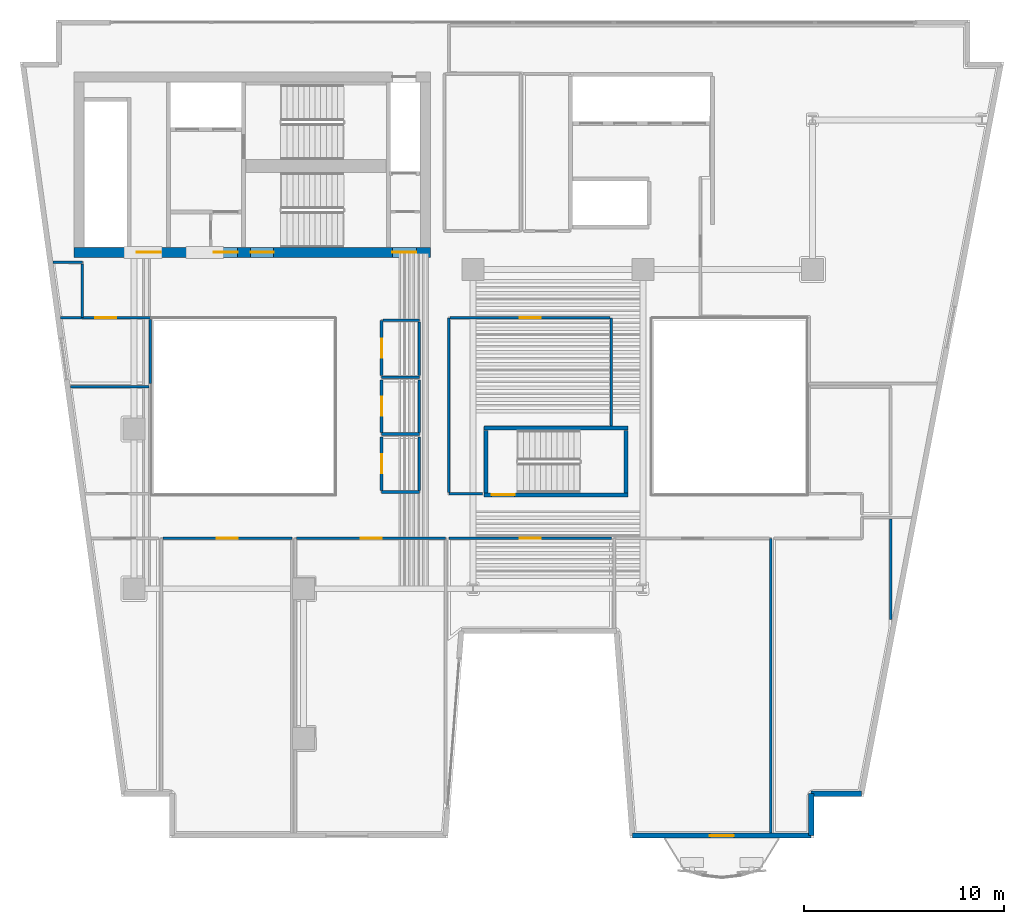
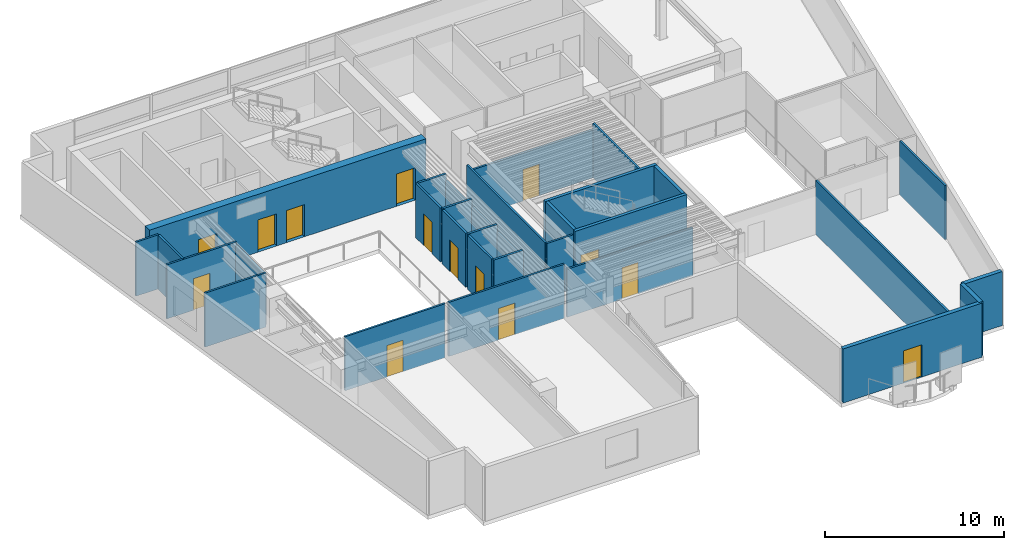
# One storey, part 6 of 13: 32 walls, 14 doors, 14 openings.
"""IFC4 building model written with IfcOpenShell, lengths in metres."""

from ifc_helpers import new_model, si_unit, direction, frame, frame_2d, origin, place, context, subcontext, project, spatial, rectangle, extrude, material, layer, layer_set, type_object, element, fill, save


model = new_model("IFC4")

# Units and contexts
model_context = context("Model", 3, precision=1e-05, world=origin(), true_north=direction((0.0, 1.0)))
body_context = subcontext(model_context, "Body", "Model", "MODEL_VIEW")
ifc_project = project(units=[si_unit("LENGTHUNIT", "METRE"), si_unit("AREAUNIT", "SQUARE_METRE"), si_unit("VOLUMEUNIT", "CUBIC_METRE"), si_unit("PLANEANGLEUNIT", "RADIAN"), si_unit("MASSUNIT", "GRAM", prefix="KILO")], contexts=[model_context])

# Site, building, storey
site_placement = place(None, origin())
site = spatial("IfcSite", under=ifc_project, at=site_placement, CompositionType="ELEMENT")
building_placement = place(site_placement, origin())
building = spatial("IfcBuilding", under=site, at=building_placement, Name="Caeloran Harvest Quay", CompositionType="ELEMENT")
storey_placement = place(building_placement, frame((0.0, 0.0, 170.64990234375)))
storey = spatial("IfcBuildingStorey", under=building, at=storey_placement, Name="L40", CompositionType="ELEMENT", Elevation=170.64990234375)

# Walls
ifc_material_1 = material(Name="Precast concrete C50/60", Category="concrete")
ifc_layer_1 = layer(ifc_material_1, 0.260009765625, Name="Precast concrete C50/60")
ifc_layer_set_1 = layer_set([ifc_layer_1], Name="Precast concrete C50/60")
wall_type_1 = type_object("IfcWallType", Name="ENV-WALL-EW-260", PredefinedType="STANDARD", material=ifc_layer_set_1)
wall_1_placement = place(storey_placement, frame((44.96337890625, 4.72998046875, 0.0), z_axis=(0.0, 0.0, 1.0), x_axis=(-1.0, 0.0, 0.0)))
element("IfcWall", 1, at=wall_1_placement, inside=storey, type_object=wall_type_1, Name="L40 Exterior Precast Concrete Facade Wall 10", PredefinedType="STANDARD", context=body_context, shape_type="SweptSolid", body=[
    extrude(rectangle(XDim=2.5234375, YDim=0.260009765625, at=frame_2d((1.26171875, 0.0))), origin(), (0.0, 0.0, 1.0), 3.690185546875),
])
wall_2_placement = place(storey_placement, frame((42.43994140625, 4.72998046875, 0.0), z_axis=(0.0, 0.0, 1.0), x_axis=(0.0, -1.0, 0.0)))
element("IfcWall", 2, at=wall_2_placement, inside=storey, type_object=wall_type_1, Name="L40 Exterior Precast Concrete Facade Wall 11", PredefinedType="STANDARD", context=body_context, shape_type="SweptSolid", body=[
    extrude(rectangle(XDim=2.10009765625, YDim=0.260009765625, at=frame_2d((1.050048828125, 0.0))), origin(), (0.0, 0.0, 1.0), 3.690185546875),
])

# Wall, opening, door
wall_3_placement = place(storey_placement, frame((42.43994140625, 2.6298828125, 0.0), z_axis=(0.0, 0.0, 1.0), x_axis=(-1.0, 0.0, 0.0)))
wall_3 = element("IfcWall", 3, at=wall_3_placement, inside=storey, type_object=wall_type_1, Name="L40 Exterior Precast Concrete Facade Wall 12", PredefinedType="STANDARD", context=body_context, shape_type="SweptSolid", body=[
    extrude(rectangle(XDim=8.96484375, YDim=0.260009765625, at=frame_2d((4.482421875, 0.0))), origin(), (0.0, 0.0, 1.0), 3.690185546875),
])
opening_1_placement = place(wall_3_placement, frame((3.882080078125, 0.0, 0.0)))
opening_1 = element("IfcOpeningElement", 4, at=opening_1_placement, cuts=wall_3, Name="Opening BD-01", PredefinedType="OPENING", context=body_context, shape_type="SweptSolid", body=[
    extrude(rectangle(XDim=1.199951171875, YDim=2.199951171875, at=frame_2d((0.60009765625, 1.10009765625))), frame((0.0, 0.14013671875, 0.0), z_axis=(0.0, -1.0, 0.0), x_axis=(1.0, 0.0, 0.0)), (0.0, 0.0, 1.0), 0.280029296875),
])
ifc_material_2 = material(Name="Thermally Broken Powder-Coated Aluminium and Safety Glass", Category="aluminium")
door_type_1 = type_object("IfcDoorType", Name="EXTDOOR-BD-01", OperationType="NOTDEFINED", PredefinedType="DOOR", material=ifc_material_2)
door_1_placement = place(opening_1_placement, origin())
door_1 = element("IfcDoor", 5, at=door_1_placement, inside=storey, type_object=door_type_1, Name="L40 Planted Balcony Glazed Access Door", OperationType="SINGLE_SWING_LEFT", OverallHeight=2.199951171875, OverallWidth=1.199951171875, PredefinedType="DOOR", context=body_context, shape_type="SweptSolid", body=[
    extrude(rectangle(XDim=1.199951171875, YDim=2.199951171875, at=frame_2d((0.60009765625, 1.10009765625))), frame((0.0, 0.02490234375, 0.0), z_axis=(0.0, -1.0, 0.0), x_axis=(1.0, 0.0, 0.0)), (0.0, 0.0, 1.0), 0.050048828125),
])
fill(opening_1, door_1)

ifc_material_3 = material(Name="Twin-Stud Mineral-Wool Acoustic Gypsum Partition", Category="gypsum")
ifc_layer_2 = layer(ifc_material_3, 0.125, Name="Twin-Stud Mineral-Wool Acoustic Gypsum Partition")
ifc_layer_set_2 = layer_set([ifc_layer_2], Name="Twin-Stud Mineral-Wool Acoustic Gypsum Partition")
wall_type_2 = type_object("IfcWallType", Name="INT-WALL-PW-125", PredefinedType="PARTITIONING", material=ifc_layer_set_2)
wall_4_placement = place(storey_placement, frame((16.6474609375, 17.52001953125, 0.0), z_axis=(0.0, 0.0, 1.0), x_axis=(1.0, 0.0, 0.0)))
wall_4 = element("IfcWall", 6, at=wall_4_placement, inside=storey, type_object=wall_type_2, Name="Agri-Design Innovation Studio Partition Wall", PredefinedType="PARTITIONING", context=body_context, shape_type="SweptSolid", body=[
    extrude(rectangle(XDim=7.47265625, YDim=0.125, at=frame_2d((3.736328125, 0.0))), origin(), (0.0, 0.0, 1.0), 3.690185546875),
])
opening_2_placement = place(wall_4_placement, frame((3.211181640625, 0.0, 0.0)))
opening_2 = element("IfcOpeningElement", 7, at=opening_2_placement, cuts=wall_4, Name="Opening ID-03", PredefinedType="OPENING", context=body_context, shape_type="SweptSolid", body=[
    extrude(rectangle(XDim=1.050048828125, YDim=2.14990234375, at=frame_2d((0.52490234375, 1.074951171875))), frame((0.0, 0.072509765625, 0.0), z_axis=(0.0, -1.0, 0.0), x_axis=(1.0, 0.0, 0.0)), (0.0, 0.0, 1.0), 0.14501953125),
])
ifc_material_4 = material(Name="FSC Solid-Core Oak Timber Leaf", Category="wood")
door_type_2 = type_object("IfcDoorType", Name="INTDOOR-ID-03", OperationType="NOTDEFINED", PredefinedType="DOOR", material=ifc_material_4)
door_2_placement = place(opening_2_placement, origin())
door_2 = element("IfcDoor", 8, at=door_2_placement, inside=storey, type_object=door_type_2, Name="Agri-Design Innovation Studio Access Door", OperationType="SINGLE_SWING_LEFT", OverallHeight=2.14990234375, OverallWidth=1.050048828125, PredefinedType="DOOR", context=body_context, shape_type="SweptSolid", body=[
    extrude(rectangle(XDim=1.050048828125, YDim=2.14990234375, at=frame_2d((0.52490234375, 1.074951171875))), frame((0.0, 0.02490234375, 0.0), z_axis=(0.0, -1.0, 0.0), x_axis=(1.0, 0.0, 0.0)), (0.0, 0.0, 1.0), 0.050048828125),
])
fill(opening_2, door_2)

wall_5_placement = place(storey_placement, frame((9.947509765625, 17.52001953125, 0.0), z_axis=(0.0, 0.0, 1.0), x_axis=(1.0, 0.0, 0.0)))
wall_5 = element("IfcWall", 9, at=wall_5_placement, inside=storey, type_object=wall_type_2, Name="Hospitality Tasting Dining Kitchen Partition Wall", PredefinedType="PARTITIONING", context=body_context, shape_type="SweptSolid", body=[
    extrude(rectangle(XDim=6.472412109375, YDim=0.125, at=frame_2d((3.236328125, 0.0))), origin(), (0.0, 0.0, 1.0), 3.690185546875),
])
opening_3_placement = place(wall_5_placement, frame((2.711181640625, 0.0, 0.0)))
opening_3 = element("IfcOpeningElement", 10, at=opening_3_placement, cuts=wall_5, Name="Opening ID-03", PredefinedType="OPENING", context=body_context, shape_type="SweptSolid", body=[
    extrude(rectangle(XDim=1.050048828125, YDim=2.14990234375, at=frame_2d((0.52490234375, 1.074951171875))), frame((0.0, 0.072509765625, 0.0), z_axis=(0.0, -1.0, 0.0), x_axis=(1.0, 0.0, 0.0)), (0.0, 0.0, 1.0), 0.14501953125),
])
door_3_placement = place(opening_3_placement, origin())
door_3 = element("IfcDoor", 11, at=door_3_placement, inside=storey, type_object=door_type_2, Name="Hospitality Tasting Dining Kitchen Access Door", OperationType="SINGLE_SWING_RIGHT", OverallHeight=2.14990234375, OverallWidth=1.050048828125, PredefinedType="DOOR", context=body_context, shape_type="SweptSolid", body=[
    extrude(rectangle(XDim=1.050048828125, YDim=2.14990234375, at=frame_2d((0.52490234375, 1.074951171875))), frame((0.0, 0.02490234375, 0.0), z_axis=(0.0, -1.0, 0.0), x_axis=(1.0, 0.0, 0.0)), (0.0, 0.0, 1.0), 0.050048828125),
])
fill(opening_3, door_3)

# Walls
wall_6_placement = place(storey_placement, frame((40.419921875, 17.52001953125, 0.0), z_axis=(0.0, 0.0, 1.0), x_axis=(0.0, -1.0, 0.0)))
element("IfcWall", 12, at=wall_6_placement, inside=storey, type_object=wall_type_2, Name="Culinary Product Studio Partition Wall", PredefinedType="PARTITIONING", context=body_context, shape_type="SweptSolid", body=[
    extrude(rectangle(XDim=14.755126953125, YDim=0.125, at=frame_2d((7.37744140625, 0.0))), origin(), (0.0, 0.0, 1.0), 3.690185546875),
])
wall_7_placement = place(storey_placement, frame((46.419921875, 18.50244140625, 0.0), z_axis=(0.0, 0.0, 1.0), x_axis=(0.0, -1.0, 0.0)))
element("IfcWall", 13, at=wall_7_placement, inside=storey, type_object=wall_type_2, Name="Investor Dining Salon Lounge Partition Wall", PredefinedType="PARTITIONING", context=body_context, shape_type="SweptSolid", body=[
    extrude(rectangle(XDim=5.0556640625, YDim=0.125, at=frame_2d((2.52783203125, 0.0))), origin(), (0.0, 0.0, 1.0), 3.690185546875),
])

# Wall, opening, door
wall_8_placement = place(storey_placement, frame((24.280029296875, 17.52001953125, 0.0), z_axis=(0.0, 0.0, 1.0), x_axis=(1.0, 0.0, 0.0)))
wall_8 = element("IfcWall", 14, at=wall_8_placement, inside=storey, type_object=wall_type_2, Name="Media Broadcast Studio Partition Wall", PredefinedType="PARTITIONING", context=body_context, shape_type="SweptSolid", body=[
    extrude(rectangle(XDim=8.139892578125, YDim=0.125, at=frame_2d((4.06982421875, 0.0))), origin(), (0.0, 0.0, 1.0), 3.275146484375),
])
opening_4_placement = place(wall_8_placement, frame((3.544921875, 0.0, 0.0)))
opening_4 = element("IfcOpeningElement", 15, at=opening_4_placement, cuts=wall_8, Name="Opening ID-03", PredefinedType="OPENING", context=body_context, shape_type="SweptSolid", body=[
    extrude(rectangle(XDim=1.050048828125, YDim=2.14990234375, at=frame_2d((0.52490234375, 1.074951171875))), frame((0.0, 0.072509765625, 0.0), z_axis=(0.0, -1.0, 0.0), x_axis=(1.0, 0.0, 0.0)), (0.0, 0.0, 1.0), 0.14501953125),
])
door_4_placement = place(opening_4_placement, origin())
door_4 = element("IfcDoor", 16, at=door_4_placement, inside=storey, type_object=door_type_2, Name="Media Broadcast Studio Access Door", OperationType="SINGLE_SWING_RIGHT", OverallHeight=2.14990234375, OverallWidth=1.050048828125, PredefinedType="DOOR", context=body_context, shape_type="SweptSolid", body=[
    extrude(rectangle(XDim=1.050048828125, YDim=2.14990234375, at=frame_2d((0.52490234375, 1.074951171875))), frame((0.0, 0.02490234375, 0.0), z_axis=(0.0, -1.0, 0.0), x_axis=(1.0, 0.0, 0.0)), (0.0, 0.0, 1.0), 0.050048828125),
])
fill(opening_4, door_4)

# Walls
wall_9_placement = place(storey_placement, frame((5.309326171875, 25.1201171875, 0.0), z_axis=(0.0, 0.0, 1.0), x_axis=(1.0, 0.0, 0.0)))
element("IfcWall", 17, at=wall_9_placement, inside=storey, type_object=wall_type_2, Name="Agri-Design Innovation Studio 8 Partition Wall", PredefinedType="PARTITIONING", context=body_context, shape_type="SweptSolid", body=[
    extrude(rectangle(XDim=3.943115234375, YDim=0.125, at=frame_2d((1.9716796875, 0.0))), origin(), (0.0, 0.0, 1.0), 3.690185546875),
])
wall_10_placement = place(storey_placement, frame((32.419921875, 28.570068359375, 0.0), z_axis=(0.0, 0.0, 1.0), x_axis=(0.0, -1.0, 0.0)))
element("IfcWall", 18, at=wall_10_placement, inside=storey, type_object=wall_type_2, Name="Hospitality Tasting Dining Kitchen 9 Partition Wall", PredefinedType="PARTITIONING", context=body_context, shape_type="SweptSolid", body=[
    extrude(rectangle(XDim=5.4150390625, YDim=0.125, at=frame_2d((2.70751953125, 0.0))), origin(), (0.0, 0.0, 1.0), 3.690185546875),
])
wall_11_placement = place(storey_placement, frame((25.9755859375, 19.75, 0.0), z_axis=(0.0, 0.0, 1.0), x_axis=(-1.0, 0.0, 0.0)))
element("IfcWall", 19, at=wall_11_placement, inside=storey, type_object=wall_type_2, Name="Hospitality Tasting Dining Kitchen 9 Partition Wall", PredefinedType="PARTITIONING", context=body_context, shape_type="SweptSolid", body=[
    extrude(rectangle(XDim=1.695556640625, YDim=0.125, at=frame_2d((0.84765625, 0.0))), origin(), (0.0, 0.0, 1.0), 3.690185546875),
])
wall_12_placement = place(storey_placement, frame((24.280029296875, 19.8173828125, 0.0), z_axis=(0.0, 0.0, 1.0), x_axis=(0.0, 1.0, 0.0)))
element("IfcWall", 20, at=wall_12_placement, inside=storey, type_object=wall_type_2, Name="Hospitality Tasting Dining Kitchen 9 Partition Wall", PredefinedType="PARTITIONING", context=body_context, shape_type="SweptSolid", body=[
    extrude(rectangle(XDim=8.752685546875, YDim=0.125, at=frame_2d((4.37646484375, 0.0))), origin(), (0.0, 0.0, 1.0), 3.690185546875),
])

# Wall, opening, door
wall_13_placement = place(storey_placement, frame((24.347412109375, 28.570068359375, 0.0), z_axis=(0.0, 0.0, 1.0), x_axis=(1.0, 0.0, 0.0)))
wall_13 = element("IfcWall", 21, at=wall_13_placement, inside=storey, type_object=wall_type_2, Name="Hospitality Tasting Dining Kitchen 9 Partition Wall", PredefinedType="PARTITIONING", context=body_context, shape_type="SweptSolid", body=[
    extrude(rectangle(XDim=8.005126953125, YDim=0.125, at=frame_2d((4.00244140625, 0.0))), origin(), (0.0, 0.0, 1.0), 3.275146484375),
])
opening_5_placement = place(wall_13_placement, frame((3.4775390625, 0.0, 0.0)))
opening_5 = element("IfcOpeningElement", 22, at=opening_5_placement, cuts=wall_13, Name="Opening ID-03", PredefinedType="OPENING", context=body_context, shape_type="SweptSolid", body=[
    extrude(rectangle(XDim=1.050048828125, YDim=2.14990234375, at=frame_2d((0.52490234375, 1.074951171875))), frame((0.0, 0.072509765625, 0.0), z_axis=(0.0, -1.0, 0.0), x_axis=(1.0, 0.0, 0.0)), (0.0, 0.0, 1.0), 0.14501953125),
])
door_5_placement = place(opening_5_placement, origin())
door_5 = element("IfcDoor", 23, at=door_5_placement, inside=storey, type_object=door_type_2, Name="Hospitality Tasting Dining Kitchen 9 Access Door", OperationType="SINGLE_SWING_LEFT", OverallHeight=2.14990234375, OverallWidth=1.050048828125, PredefinedType="DOOR", context=body_context, shape_type="SweptSolid", body=[
    extrude(rectangle(XDim=1.050048828125, YDim=2.14990234375, at=frame_2d((0.52490234375, 1.074951171875))), frame((0.0, 0.02490234375, 0.0), z_axis=(0.0, -1.0, 0.0), x_axis=(1.0, 0.0, 0.0)), (0.0, 0.0, 1.0), 0.050048828125),
])
fill(opening_5, door_5)

# Walls
wall_14_placement = place(storey_placement, frame((4.44775390625, 31.35009765625, 0.0), z_axis=(0.0, 0.0, 1.0), x_axis=(1.0, 0.0, 0.0)))
element("IfcWall", 24, at=wall_14_placement, inside=storey, type_object=wall_type_2, Name="Culinary Product Studio 10 Partition Wall", PredefinedType="PARTITIONING", context=body_context, shape_type="SweptSolid", body=[
    extrude(rectangle(XDim=1.47216796875, YDim=0.125, at=frame_2d((0.736083984375, 0.0))), origin(), (0.0, 0.0, 1.0), 3.690185546875),
])
wall_15_placement = place(storey_placement, frame((5.919921875, 31.282470703125, 0.0), z_axis=(0.0, 0.0, 1.0), x_axis=(0.0, -1.0, 0.0)))
element("IfcWall", 25, at=wall_15_placement, inside=storey, type_object=wall_type_2, Name="Culinary Product Studio 10 Partition Wall", PredefinedType="PARTITIONING", context=body_context, shape_type="SweptSolid", body=[
    extrude(rectangle(XDim=2.682373046875, YDim=0.125, at=frame_2d((1.34130859375, 0.0))), origin(), (0.0, 0.0, 1.0), 3.690185546875),
])

# Wall, opening, door
wall_16_placement = place(storey_placement, frame((4.832275390625, 28.570068359375, 0.0), z_axis=(0.0, 0.0, 1.0), x_axis=(1.0, 0.0, 0.0)))
wall_16 = element("IfcWall", 26, at=wall_16_placement, inside=storey, type_object=wall_type_2, Name="Culinary Product Studio 10 Partition Wall", PredefinedType="PARTITIONING", context=body_context, shape_type="SweptSolid", body=[
    extrude(rectangle(XDim=4.48779296875, YDim=0.125, at=frame_2d((2.243896484375, 0.0))), origin(), (0.0, 0.0, 1.0), 3.690185546875),
])
opening_6_placement = place(wall_16_placement, frame((1.718994140625, 0.0, 0.0)))
opening_6 = element("IfcOpeningElement", 27, at=opening_6_placement, cuts=wall_16, Name="Opening ID-03", PredefinedType="OPENING", context=body_context, shape_type="SweptSolid", body=[
    extrude(rectangle(XDim=1.050048828125, YDim=2.14990234375, at=frame_2d((0.52490234375, 1.074951171875))), frame((0.0, 0.072509765625, 0.0), z_axis=(0.0, -1.0, 0.0), x_axis=(1.0, 0.0, 0.0)), (0.0, 0.0, 1.0), 0.14501953125),
])
door_6_placement = place(opening_6_placement, origin())
door_6 = element("IfcDoor", 28, at=door_6_placement, inside=storey, type_object=door_type_2, Name="Culinary Product Studio 10 Access Door", OperationType="SINGLE_SWING_RIGHT", OverallHeight=2.14990234375, OverallWidth=1.050048828125, PredefinedType="DOOR", context=body_context, shape_type="SweptSolid", body=[
    extrude(rectangle(XDim=1.050048828125, YDim=2.14990234375, at=frame_2d((0.52490234375, 1.074951171875))), frame((0.0, 0.02490234375, 0.0), z_axis=(0.0, -1.0, 0.0), x_axis=(1.0, 0.0, 0.0)), (0.0, 0.0, 1.0), 0.050048828125),
])
fill(opening_6, door_6)

# Walls
wall_17_placement = place(storey_placement, frame((9.320068359375, 28.50244140625, 0.0), z_axis=(0.0, 0.0, 1.0), x_axis=(0.0, -1.0, 0.0)))
element("IfcWall", 29, at=wall_17_placement, inside=storey, type_object=wall_type_2, Name="Culinary Product Studio 10 Partition Wall", PredefinedType="PARTITIONING", context=body_context, shape_type="SweptSolid", body=[
    extrude(rectangle(XDim=3.222412109375, YDim=0.125, at=frame_2d((1.611328125, 0.0))), origin(), (0.0, 0.0, 1.0), 3.47509765625),
])
ifc_material_5 = material(Name="Moisture-Resistant Cement-Board Sanitary Partition", Category="gypsum")
ifc_layer_3 = layer(ifc_material_5, 0.139892578125, Name="Moisture-Resistant Cement-Board Sanitary Partition")
ifc_layer_set_3 = layer_set([ifc_layer_3], Name="Moisture-Resistant Cement-Board Sanitary Partition")
wall_type_3 = type_object("IfcWallType", Name="INT-WALL-PW-140", PredefinedType="PARTITIONING", material=ifc_layer_set_3)
wall_18_placement = place(storey_placement, frame((22.800048828125, 25.60009765625, 0.0), z_axis=(0.0, 0.0, 1.0), x_axis=(-1.0, 0.0, 0.0)))
element("IfcWall", 30, at=wall_18_placement, inside=storey, type_object=wall_type_3, Name="L40 Male Washroom WC Partition Wall", PredefinedType="PARTITIONING", context=body_context, shape_type="SweptSolid", body=[
    extrude(rectangle(XDim=1.89013671875, YDim=0.139892578125, at=frame_2d((0.945068359375, 0.0))), origin(), (0.0, 0.0, 1.0), 3.690185546875),
])

# Wall, opening, door
wall_19_placement = place(storey_placement, frame((20.909912109375, 25.675048828125, 0.0), z_axis=(0.0, 0.0, 1.0), x_axis=(0.0, 1.0, 0.0)))
wall_19 = element("IfcWall", 31, at=wall_19_placement, inside=storey, type_object=wall_type_3, Name="L40 Male Washroom WC Partition Wall", PredefinedType="PARTITIONING", context=body_context, shape_type="SweptSolid", body=[
    extrude(rectangle(XDim=2.77490234375, YDim=0.139892578125, at=frame_2d((1.387451171875, 0.0))), origin(), (0.0, 0.0, 1.0), 3.690185546875),
])
opening_7_placement = place(wall_19_placement, frame((0.91259765625, 0.0, 0.0)))
opening_7 = element("IfcOpeningElement", 32, at=opening_7_placement, cuts=wall_19, Name="Opening WC-01", PredefinedType="OPENING", context=body_context, shape_type="SweptSolid", body=[
    extrude(rectangle(XDim=0.949951171875, YDim=2.14990234375, at=frame_2d((0.47509765625, 1.074951171875))), frame((0.0, 0.080078125, 0.0), z_axis=(0.0, -1.0, 0.0), x_axis=(1.0, 0.0, 0.0)), (0.0, 0.0, 1.0), 0.159912109375),
])
ifc_material_6 = material(Name="High-Pressure Laminate Moisture-Resistant Timber", Category="wood")
door_type_3 = type_object("IfcDoorType", Name="INTDOOR-WC-01", OperationType="NOTDEFINED", PredefinedType="DOOR", material=ifc_material_6)
door_7_placement = place(opening_7_placement, origin())
door_7 = element("IfcDoor", 33, at=door_7_placement, inside=storey, type_object=door_type_3, Name="L40 Male Washroom WC Access Door", OperationType="SINGLE_SWING_RIGHT", OverallHeight=2.14990234375, OverallWidth=0.949951171875, PredefinedType="DOOR", context=body_context, shape_type="SweptSolid", body=[
    extrude(rectangle(XDim=0.949951171875, YDim=2.14990234375, at=frame_2d((0.47509765625, 1.074951171875))), frame((0.0, 0.02490234375, 0.0), z_axis=(0.0, -1.0, 0.0), x_axis=(1.0, 0.0, 0.0)), (0.0, 0.0, 1.0), 0.050048828125),
])
fill(opening_7, door_7)

# Walls
wall_20_placement = place(storey_placement, frame((20.985107421875, 28.449951171875, 0.0), z_axis=(0.0, 0.0, 1.0), x_axis=(1.0, 0.0, 0.0)))
element("IfcWall", 34, at=wall_20_placement, inside=storey, type_object=wall_type_3, Name="L40 Male Washroom WC Partition Wall", PredefinedType="PARTITIONING", context=body_context, shape_type="SweptSolid", body=[
    extrude(rectangle(XDim=1.81494140625, YDim=0.139892578125, at=frame_2d((0.907470703125, 0.0))), origin(), (0.0, 0.0, 1.0), 3.690185546875),
])
wall_21_placement = place(storey_placement, frame((22.800048828125, 28.375, 0.0), z_axis=(0.0, 0.0, 1.0), x_axis=(0.0, -1.0, 0.0)))
element("IfcWall", 35, at=wall_21_placement, inside=storey, type_object=wall_type_3, Name="L40 Male Washroom WC Partition Wall", PredefinedType="PARTITIONING", context=body_context, shape_type="SweptSolid", body=[
    extrude(rectangle(XDim=2.699951171875, YDim=0.139892578125, at=frame_2d((1.35009765625, 0.0))), origin(), (0.0, 0.0, 1.0), 3.275146484375),
])
wall_22_placement = place(storey_placement, frame((22.800048828125, 22.75, 0.0), z_axis=(0.0, 0.0, 1.0), x_axis=(-1.0, 0.0, 0.0)))
element("IfcWall", 36, at=wall_22_placement, inside=storey, type_object=wall_type_3, Name="L40 Female Washroom WC Partition Wall", PredefinedType="PARTITIONING", context=body_context, shape_type="SweptSolid", body=[
    extrude(rectangle(XDim=1.89013671875, YDim=0.139892578125, at=frame_2d((0.945068359375, 0.0))), origin(), (0.0, 0.0, 1.0), 3.690185546875),
])

# Wall, opening, door
wall_23_placement = place(storey_placement, frame((20.909912109375, 22.824951171875, 0.0), z_axis=(0.0, 0.0, 1.0), x_axis=(0.0, 1.0, 0.0)))
wall_23 = element("IfcWall", 37, at=wall_23_placement, inside=storey, type_object=wall_type_3, Name="L40 Female Washroom WC Partition Wall", PredefinedType="PARTITIONING", context=body_context, shape_type="SweptSolid", body=[
    extrude(rectangle(XDim=2.625, YDim=0.139892578125, at=frame_2d((1.3125, 0.0))), origin(), (0.0, 0.0, 1.0), 3.690185546875),
])
opening_8_placement = place(wall_23_placement, frame((0.83740234375, 0.0, 0.0)))
opening_8 = element("IfcOpeningElement", 38, at=opening_8_placement, cuts=wall_23, Name="Opening WC-01", PredefinedType="OPENING", context=body_context, shape_type="SweptSolid", body=[
    extrude(rectangle(XDim=0.949951171875, YDim=2.14990234375, at=frame_2d((0.47509765625, 1.074951171875))), frame((0.0, 0.080078125, 0.0), z_axis=(0.0, -1.0, 0.0), x_axis=(1.0, 0.0, 0.0)), (0.0, 0.0, 1.0), 0.159912109375),
])
door_8_placement = place(opening_8_placement, origin())
door_8 = element("IfcDoor", 39, at=door_8_placement, inside=storey, type_object=door_type_3, Name="L40 Female Washroom WC Access Door", OperationType="SINGLE_SWING_LEFT", OverallHeight=2.14990234375, OverallWidth=0.949951171875, PredefinedType="DOOR", context=body_context, shape_type="SweptSolid", body=[
    extrude(rectangle(XDim=0.949951171875, YDim=2.14990234375, at=frame_2d((0.47509765625, 1.074951171875))), frame((0.0, 0.02490234375, 0.0), z_axis=(0.0, -1.0, 0.0), x_axis=(1.0, 0.0, 0.0)), (0.0, 0.0, 1.0), 0.050048828125),
])
fill(opening_8, door_8)

# Walls
wall_24_placement = place(storey_placement, frame((22.800048828125, 25.449951171875, 0.0), z_axis=(0.0, 0.0, 1.0), x_axis=(0.0, -1.0, 0.0)))
element("IfcWall", 40, at=wall_24_placement, inside=storey, type_object=wall_type_3, Name="L40 Female Washroom WC Partition Wall", PredefinedType="PARTITIONING", context=body_context, shape_type="SweptSolid", body=[
    extrude(rectangle(XDim=2.625, YDim=0.139892578125, at=frame_2d((1.3125, 0.0))), origin(), (0.0, 0.0, 1.0), 3.275146484375),
])
wall_25_placement = place(storey_placement, frame((22.800048828125, 19.85009765625, 0.0), z_axis=(0.0, 0.0, 1.0), x_axis=(-1.0, 0.0, 0.0)))
element("IfcWall", 41, at=wall_25_placement, inside=storey, type_object=wall_type_3, Name="L40 Accessible Unisex Washroom WC Partition Wall", PredefinedType="PARTITIONING", context=body_context, shape_type="SweptSolid", body=[
    extrude(rectangle(XDim=1.89013671875, YDim=0.139892578125, at=frame_2d((0.945068359375, 0.0))), origin(), (0.0, 0.0, 1.0), 3.690185546875),
])

# Wall, opening, door
wall_26_placement = place(storey_placement, frame((20.909912109375, 19.925048828125, 0.0), z_axis=(0.0, 0.0, 1.0), x_axis=(0.0, 1.0, 0.0)))
wall_26 = element("IfcWall", 42, at=wall_26_placement, inside=storey, type_object=wall_type_3, Name="L40 Accessible Unisex Washroom WC Partition Wall", PredefinedType="PARTITIONING", context=body_context, shape_type="SweptSolid", body=[
    extrude(rectangle(XDim=2.675048828125, YDim=0.139892578125, at=frame_2d((1.33740234375, 0.0))), origin(), (0.0, 0.0, 1.0), 3.690185546875),
])
opening_9_placement = place(wall_26_placement, frame((0.862548828125, 0.0, 0.0)))
opening_9 = element("IfcOpeningElement", 43, at=opening_9_placement, cuts=wall_26, Name="Opening WC-01", PredefinedType="OPENING", context=body_context, shape_type="SweptSolid", body=[
    extrude(rectangle(XDim=0.949951171875, YDim=2.14990234375, at=frame_2d((0.47509765625, 1.074951171875))), frame((0.0, 0.080078125, 0.0), z_axis=(0.0, -1.0, 0.0), x_axis=(1.0, 0.0, 0.0)), (0.0, 0.0, 1.0), 0.159912109375),
])
door_9_placement = place(opening_9_placement, origin())
door_9 = element("IfcDoor", 44, at=door_9_placement, inside=storey, type_object=door_type_3, Name="L40 Accessible Unisex Washroom WC Access Door", OperationType="SINGLE_SWING_RIGHT", OverallHeight=2.14990234375, OverallWidth=0.949951171875, PredefinedType="DOOR", context=body_context, shape_type="SweptSolid", body=[
    extrude(rectangle(XDim=0.949951171875, YDim=2.14990234375, at=frame_2d((0.47509765625, 1.074951171875))), frame((0.0, 0.02490234375, 0.0), z_axis=(0.0, -1.0, 0.0), x_axis=(1.0, 0.0, 0.0)), (0.0, 0.0, 1.0), 0.050048828125),
])
fill(opening_9, door_9)

# Wall
wall_27_placement = place(storey_placement, frame((22.800048828125, 22.60009765625, 0.0), z_axis=(0.0, 0.0, 1.0), x_axis=(0.0, -1.0, 0.0)))
element("IfcWall", 45, at=wall_27_placement, inside=storey, type_object=wall_type_3, Name="L40 Accessible Unisex Washroom WC Partition Wall", PredefinedType="PARTITIONING", context=body_context, shape_type="SweptSolid", body=[
    extrude(rectangle(XDim=2.675048828125, YDim=0.139892578125, at=frame_2d((1.33740234375, 0.0))), origin(), (0.0, 0.0, 1.0), 3.275146484375),
])

# Wall, openings, doors
ifc_material_7 = material(Name="Concrete C70/85", Category="concrete")
ifc_layer_4 = layer(ifc_material_7, 0.5, Name="Concrete C70/85")
ifc_layer_set_4 = layer_set([ifc_layer_4], Name="Concrete C70/85")
wall_type_4 = type_object("IfcWallType", Name="STR-WALL-CW-500", PredefinedType="SHEAR", material=ifc_layer_set_4)
wall_28_placement = place(storey_placement, frame((5.5, 31.85009765625, 0.0), z_axis=(0.0, 0.0, 1.0), x_axis=(1.0, 0.0, 0.0)))
wall_28 = element("IfcWall", 46, at=wall_28_placement, inside=storey, type_object=wall_type_4, Name="L40 Rear Core Shear Wall S", PredefinedType="SHEAR", context=body_context, shape_type="SweptSolid", body=[
    extrude(rectangle(XDim=17.85009765625, YDim=0.5, at=frame_2d((8.925048828125, 0.0))), origin(), (0.0, 0.0, 1.0), 3.9501953125),
])
opening_10_placement = place(wall_28_placement, frame((3.14990234375, 0.0, 0.0)))
opening_10 = element("IfcOpeningElement", 47, at=opening_10_placement, cuts=wall_28, Name="Opening FD-01", PredefinedType="OPENING", context=body_context, shape_type="SweptSolid", body=[
    extrude(rectangle(XDim=1.199951171875, YDim=2.199951171875, at=frame_2d((0.60009765625, 1.10009765625))), frame((0.0, 0.260009765625, 0.0), z_axis=(0.0, -1.0, 0.0), x_axis=(1.0, 0.0, 0.0)), (0.0, 0.0, 1.0), 0.52001953125),
])
opening_11_placement = place(wall_28_placement, frame((7.0, 0.0, 0.0)))
opening_11 = element("IfcOpeningElement", 48, at=opening_11_placement, cuts=wall_28, Name="Opening FD-01", PredefinedType="OPENING", context=body_context, shape_type="SweptSolid", body=[
    extrude(rectangle(XDim=1.199951171875, YDim=2.199951171875, at=frame_2d((0.60009765625, 1.10009765625))), frame((0.0, 0.260009765625, 0.0), z_axis=(0.0, -1.0, 0.0), x_axis=(1.0, 0.0, 0.0)), (0.0, 0.0, 1.0), 0.52001953125),
])
opening_12_placement = place(wall_28_placement, frame((8.85009765625, 0.0, 0.0)))
opening_12 = element("IfcOpeningElement", 49, at=opening_12_placement, cuts=wall_28, Name="Opening SD-01", PredefinedType="OPENING", context=body_context, shape_type="SweptSolid", body=[
    extrude(rectangle(XDim=1.14990234375, YDim=2.199951171875, at=frame_2d((0.574951171875, 1.10009765625))), frame((0.0, 0.260009765625, 0.0), z_axis=(0.0, -1.0, 0.0), x_axis=(1.0, 0.0, 0.0)), (0.0, 0.0, 1.0), 0.52001953125),
])
opening_13_placement = place(wall_28_placement, frame((15.949951171875, 0.0, 0.0)))
opening_13 = element("IfcOpeningElement", 50, at=opening_13_placement, cuts=wall_28, Name="Opening FD-01", PredefinedType="OPENING", context=body_context, shape_type="SweptSolid", body=[
    extrude(rectangle(XDim=1.199951171875, YDim=2.199951171875, at=frame_2d((0.60009765625, 1.10009765625))), frame((0.0, 0.260009765625, 0.0), z_axis=(0.0, -1.0, 0.0), x_axis=(1.0, 0.0, 0.0)), (0.0, 0.0, 1.0), 0.52001953125),
])
ifc_material_8 = material(Name="Steel", Category="steel")
door_type_4 = type_object("IfcDoorType", Name="INTDOOR-FD-01", OperationType="NOTDEFINED", PredefinedType="DOOR", material=ifc_material_8)
door_10_placement = place(opening_10_placement, origin())
door_10 = element("IfcDoor", 51, at=door_10_placement, inside=storey, type_object=door_type_4, Name="L40 High-Rise Lift Lobby Fire Door", OperationType="SINGLE_SWING_LEFT", OverallHeight=2.199951171875, OverallWidth=1.199951171875, PredefinedType="DOOR", context=body_context, shape_type="SweptSolid", body=[
    extrude(rectangle(XDim=1.199951171875, YDim=2.199951171875, at=frame_2d((0.60009765625, 1.10009765625))), frame((0.0, 0.02490234375, 0.0), z_axis=(0.0, -1.0, 0.0), x_axis=(1.0, 0.0, 0.0)), (0.0, 0.0, 1.0), 0.050048828125),
])
fill(opening_10, door_10)
door_11_placement = place(opening_11_placement, origin())
door_11 = element("IfcDoor", 52, at=door_11_placement, inside=storey, type_object=door_type_4, Name="L40 Firefighting Lobby Vestibule Fire Door", OperationType="SINGLE_SWING_RIGHT", OverallHeight=2.199951171875, OverallWidth=1.199951171875, PredefinedType="DOOR", context=body_context, shape_type="SweptSolid", body=[
    extrude(rectangle(XDim=1.199951171875, YDim=2.199951171875, at=frame_2d((0.60009765625, 1.10009765625))), frame((0.0, 0.02490234375, 0.0), z_axis=(0.0, -1.0, 0.0), x_axis=(1.0, 0.0, 0.0)), (0.0, 0.0, 1.0), 0.050048828125),
])
fill(opening_11, door_11)
door_12_placement = place(opening_13_placement, origin())
door_12 = element("IfcDoor", 53, at=door_12_placement, inside=storey, type_object=door_type_4, Name="L40 Service Lift Lobby Fire Door", OperationType="SINGLE_SWING_RIGHT", OverallHeight=2.199951171875, OverallWidth=1.199951171875, PredefinedType="DOOR", context=body_context, shape_type="SweptSolid", body=[
    extrude(rectangle(XDim=1.199951171875, YDim=2.199951171875, at=frame_2d((0.60009765625, 1.10009765625))), frame((0.0, 0.02490234375, 0.0), z_axis=(0.0, -1.0, 0.0), x_axis=(1.0, 0.0, 0.0)), (0.0, 0.0, 1.0), 0.050048828125),
])
fill(opening_13, door_12)
door_type_5 = type_object("IfcDoorType", Name="INTDOOR-SD-01", OperationType="NOTDEFINED", PredefinedType="DOOR", material=ifc_material_8)
door_13_placement = place(opening_12_placement, origin())
door_13 = element("IfcDoor", 54, at=door_13_placement, inside=storey, type_object=door_type_5, Name="L40 Protected Stair ST-C2 Exit Door", OperationType="SINGLE_SWING_LEFT", OverallHeight=2.199951171875, OverallWidth=1.14990234375, PredefinedType="DOOR", context=body_context, shape_type="SweptSolid", body=[
    extrude(rectangle(XDim=1.14990234375, YDim=2.199951171875, at=frame_2d((0.574951171875, 1.10009765625))), frame((0.0, 0.02490234375, 0.0), z_axis=(0.0, -1.0, 0.0), x_axis=(1.0, 0.0, 0.0)), (0.0, 0.0, 1.0), 0.050048828125),
])
fill(opening_12, door_13)

# Wall, opening, door
ifc_material_9 = material(Name="Concrete C60/75", Category="concrete")
ifc_layer_5 = layer(ifc_material_9, 0.199951171875, Name="Concrete C60/75")
ifc_layer_set_5 = layer_set([ifc_layer_5], Name="Concrete C60/75")
wall_type_5 = type_object("IfcWallType", Name="STR-WALL-SW-200", PredefinedType="SHEAR", material=ifc_layer_set_5)
wall_29_placement = place(storey_placement, frame((26.050048828125, 19.699951171875, 0.0), z_axis=(0.0, 0.0, 1.0), x_axis=(1.0, 0.0, 0.0)))
wall_29 = element("IfcWall", 55, at=wall_29_placement, inside=storey, type_object=wall_type_5, Name="L40 Stair ST-W1 S RC Shaft Shear Wall", PredefinedType="SHEAR", context=body_context, shape_type="SweptSolid", body=[
    extrude(rectangle(XDim=7.199951171875, YDim=0.199951171875, at=frame_2d((3.60009765625, 0.0))), origin(), (0.0, 0.0, 1.0), 3.9501953125),
])
opening_14_placement = place(wall_29_placement, frame((0.3798828125, 0.0, 0.0)))
opening_14 = element("IfcOpeningElement", 56, at=opening_14_placement, cuts=wall_29, Name="Opening SD-01", PredefinedType="OPENING", context=body_context, shape_type="SweptSolid", body=[
    extrude(rectangle(XDim=1.14990234375, YDim=2.199951171875, at=frame_2d((0.574951171875, 1.10009765625))), frame((0.0, 0.10986328125, 0.0), z_axis=(0.0, -1.0, 0.0), x_axis=(1.0, 0.0, 0.0)), (0.0, 0.0, 1.0), 0.219970703125),
])
door_14_placement = place(opening_14_placement, origin())
door_14 = element("IfcDoor", 57, at=door_14_placement, inside=storey, type_object=door_type_5, Name="L40 Protected Exit Stair ST-W1 Fire Door", OperationType="SINGLE_SWING_RIGHT", OverallHeight=2.199951171875, OverallWidth=1.14990234375, PredefinedType="DOOR", context=body_context, shape_type="SweptSolid", body=[
    extrude(rectangle(XDim=1.14990234375, YDim=2.199951171875, at=frame_2d((0.574951171875, 1.10009765625))), frame((0.0, 0.02490234375, 0.0), z_axis=(0.0, -1.0, 0.0), x_axis=(1.0, 0.0, 0.0)), (0.0, 0.0, 1.0), 0.050048828125),
])
fill(opening_14, door_14)

# Walls
wall_30_placement = place(storey_placement, frame((26.050048828125, 23.050048828125, 0.0), z_axis=(0.0, 0.0, 1.0), x_axis=(1.0, 0.0, 0.0)))
element("IfcWall", 58, at=wall_30_placement, inside=storey, type_object=wall_type_5, Name="L40 Stair ST-W1 N RC Shaft Shear Wall", PredefinedType="SHEAR", context=body_context, shape_type="SweptSolid", body=[
    extrude(rectangle(XDim=7.199951171875, YDim=0.199951171875, at=frame_2d((3.60009765625, 0.0))), origin(), (0.0, 0.0, 1.0), 3.9501953125),
])
for number, where, z_axis, x_axis, name in (
    (59, (26.14990234375, 19.81005859375, 0.0), (0.0, 0.0, 1.0), (0.0, 1.0, 0.0), "L40 Stair ST-W1 W RC Shaft Shear Wall"),
    (60, (33.14990234375, 19.81005859375, 0.0), (0.0, 0.0, 1.0), (0.0, 1.0, 0.0), "L40 Stair ST-W1 E RC Shaft Shear Wall"),
):
    element("IfcWall", number, at=place(storey_placement, frame(where, z_axis=z_axis, x_axis=x_axis)), inside=storey, type_object=wall_type_5, Name=name, PredefinedType="SHEAR", context=body_context, shape_type="SweptSolid", body=[
        extrude(rectangle(XDim=3.1298828125, YDim=0.199951171875, at=frame_2d((1.56494140625, 0.0))), origin(), (0.0, 0.0, 1.0), 3.9501953125),
    ])

save(model, "model.ifc")
